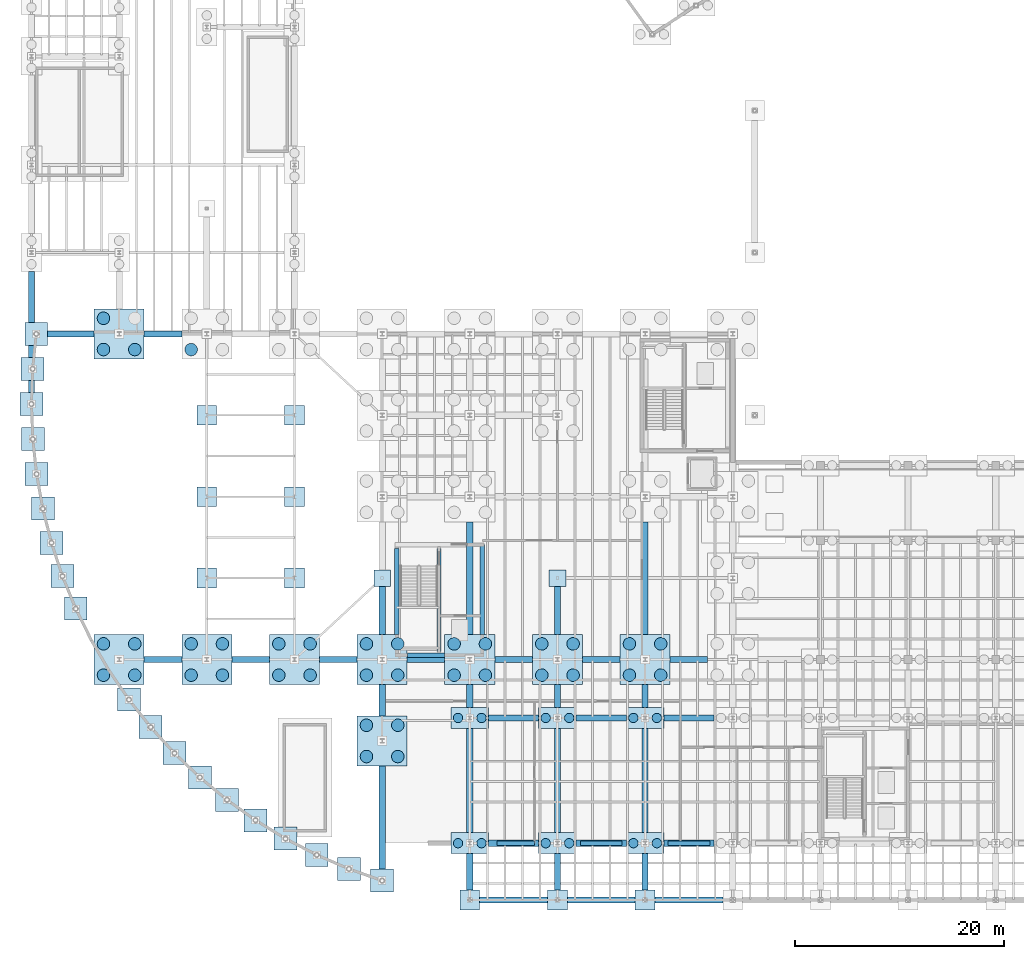
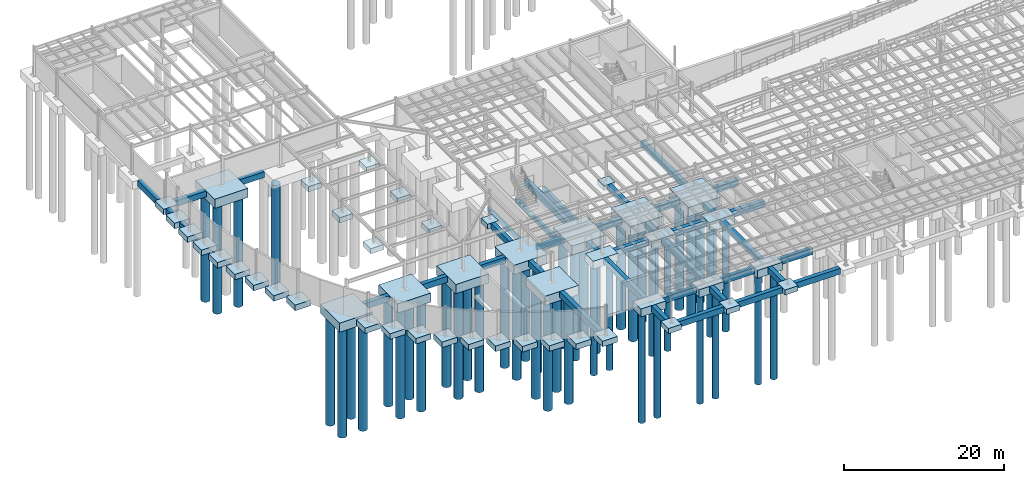
# One storey, part 1 of 41: 86 footings, 48 piles.
"""IFC4 building model written with IfcOpenShell, lengths in metres."""

from ifc_helpers import new_model, si_unit, direction, frame, origin, origin_2d, place, context, subcontext, project, spatial, rectangle, circle, extrude, material, material_profile, profile_set, type_object, element, save


model = new_model("IFC4")

# Units and contexts
model_context = context("Model", 3, precision=1e-05, world=origin(), true_north=direction((0.0, 1.0)))
body_context = subcontext(model_context, "Body", "Model", "MODEL_VIEW")
ifc_project = project(units=[si_unit("LENGTHUNIT", "METRE"), si_unit("AREAUNIT", "SQUARE_METRE"), si_unit("VOLUMEUNIT", "CUBIC_METRE"), si_unit("PLANEANGLEUNIT", "RADIAN"), si_unit("MASSUNIT", "GRAM", prefix="KILO")], contexts=[model_context])

# Site, building, storey
site_placement = place(None, origin())
site = spatial("IfcSite", under=ifc_project, at=site_placement, CompositionType="ELEMENT")
building_placement = place(site_placement, origin())
building = spatial("IfcBuilding", under=site, at=building_placement, Name="Selat Folded Stagehouse", CompositionType="ELEMENT")
storey_placement = place(building_placement, frame((0.0, 0.0, -4.5)))
storey = spatial("IfcBuildingStorey", under=building, at=storey_placement, Name="B1", CompositionType="ELEMENT", Elevation=-4.5)

# Footings
ifc_material = material(Name="Concrete C40/50", Category="concrete")
ifc_material_profile_1 = material_profile(ifc_material, rectangle(XDim=0.60009765625, YDim=0.89990234375, at=origin_2d()), Name="RC 900x600")
ifc_profile_set_1 = profile_set([ifc_material_profile_1], Name="Concrete C40/50")
footing_type_1 = type_object("IfcFootingType", Name="FTG-GB-600x900", PredefinedType="FOOTING_BEAM", material=ifc_profile_set_1)
for number, where, z_axis, x_axis, name in (
    (1, (42.949951171875, 0.35009765625, -0.449951171875), (1.0, 0.0, 0.0), (0.0, 1.0, 0.0), "Ground tie beam GB-X-004"),
    (2, (51.35009765625, 0.35009765625, -0.449951171875), (1.0, 0.0, 0.0), (0.0, 1.0, 0.0), "Ground tie beam GB-X-005"),
    (3, (59.75, 0.35009765625, -0.449951171875), (1.0, 0.0, 0.0), (0.0, 1.0, 0.0), "Ground tie beam GB-X-006"),
):
    element("IfcFooting", number, at=place(storey_placement, frame(where, z_axis=z_axis, x_axis=x_axis)), inside=storey, type_object=footing_type_1, Name=name, PredefinedType="FOOTING_BEAM", context=body_context, shape_type="SweptSolid", body=[
        extrude(rectangle(XDim=0.60009765625, YDim=0.89990234375, at=origin_2d()), origin(), (0.0, 0.0, 1.0), 6.5),
    ])
for number, where, z_axis, x_axis, name in (
    (4, (43.800048828125, 5.800048828125, -0.449951171875), (1.0, 0.0, 0.0), (0.0, 1.0, 0.0), "Ground tie beam GB-X-013"),
    (5, (52.199951171875, 5.800048828125, -0.449951171875), (1.0, 0.0, 0.0), (0.0, 1.0, 0.0), "Ground tie beam GB-X-014"),
):
    element("IfcFooting", number, at=place(storey_placement, frame(where, z_axis=z_axis, x_axis=x_axis)), inside=storey, type_object=footing_type_1, Name=name, PredefinedType="FOOTING_BEAM", context=body_context, shape_type="SweptSolid", body=[
        extrude(rectangle(XDim=0.60009765625, YDim=0.89990234375, at=origin_2d()), origin(), (0.0, 0.0, 1.0), 4.800048828125),
    ])
footing_1_placement = place(storey_placement, frame((60.60009765625, 5.800048828125, -0.449951171875), z_axis=(1.0, 0.0, 0.0), x_axis=(0.0, 1.0, 0.0)))
element("IfcFooting", 6, at=footing_1_placement, inside=storey, type_object=footing_type_1, Name="Ground tie beam GB-X-015", PredefinedType="FOOTING_BEAM", context=body_context, shape_type="SweptSolid", body=[
    extrude(rectangle(XDim=0.60009765625, YDim=0.89990234375, at=origin_2d()), origin(), (0.0, 0.0, 1.0), 4.7998046875),
])
for number, where, z_axis, x_axis, name in (
    (7, (43.800048828125, 17.800048828125, -0.449951171875), (1.0, 0.0, 0.0), (0.0, 1.0, 0.0), "Ground tie beam GB-X-023"),
    (8, (52.199951171875, 17.800048828125, -0.449951171875), (1.0, 0.0, 0.0), (0.0, 1.0, 0.0), "Ground tie beam GB-X-024"),
):
    element("IfcFooting", number, at=place(storey_placement, frame(where, z_axis=z_axis, x_axis=x_axis)), inside=storey, type_object=footing_type_1, Name=name, PredefinedType="FOOTING_BEAM", context=body_context, shape_type="SweptSolid", body=[
        extrude(rectangle(XDim=0.60009765625, YDim=0.89990234375, at=origin_2d()), origin(), (0.0, 0.0, 1.0), 4.800048828125),
    ])
footing_2_placement = place(storey_placement, frame((60.60009765625, 17.800048828125, -0.449951171875), z_axis=(1.0, 0.0, 0.0), x_axis=(0.0, 1.0, 0.0)))
element("IfcFooting", 9, at=footing_2_placement, inside=storey, type_object=footing_type_1, Name="Ground tie beam GB-X-025", PredefinedType="FOOTING_BEAM", context=body_context, shape_type="SweptSolid", body=[
    extrude(rectangle(XDim=0.60009765625, YDim=0.89990234375, at=origin_2d()), origin(), (0.0, 0.0, 1.0), 4.7998046875),
])
footing_3_placement = place(storey_placement, frame((10.800048828125, 23.39990234375, -0.449951171875), z_axis=(1.0, 0.0, 0.0), x_axis=(0.0, 1.0, 0.0)))
element("IfcFooting", 10, at=footing_3_placement, inside=storey, type_object=footing_type_1, Name="Ground tie beam GB-X-032", PredefinedType="FOOTING_BEAM", context=body_context, shape_type="SweptSolid", body=[
    extrude(rectangle(XDim=0.60009765625, YDim=0.89990234375, at=origin_2d()), origin(), (0.0, 0.0, 1.0), 3.599853515625),
])
footing_4_placement = place(storey_placement, frame((19.199951171875, 23.39990234375, -0.449951171875), z_axis=(1.0, 0.0, 0.0), x_axis=(0.0, 1.0, 0.0)))
element("IfcFooting", 11, at=footing_4_placement, inside=storey, type_object=footing_type_1, Name="Ground tie beam GB-X-033", PredefinedType="FOOTING_BEAM", context=body_context, shape_type="SweptSolid", body=[
    extrude(rectangle(XDim=0.60009765625, YDim=0.89990234375, at=origin_2d()), origin(), (0.0, 0.0, 1.0), 3.60009765625),
])
footing_5_placement = place(storey_placement, frame((27.60009765625, 23.39990234375, -0.449951171875), z_axis=(1.0, 0.0, 0.0), x_axis=(0.0, 1.0, 0.0)))
element("IfcFooting", 12, at=footing_5_placement, inside=storey, type_object=footing_type_1, Name="Ground tie beam GB-X-034", PredefinedType="FOOTING_BEAM", context=body_context, shape_type="SweptSolid", body=[
    extrude(rectangle(XDim=0.60009765625, YDim=0.89990234375, at=origin_2d()), origin(), (0.0, 0.0, 1.0), 3.599853515625),
])
for number, where, z_axis, x_axis, name in (
    (13, (36.0, 23.39990234375, -0.449951171875), (1.0, 0.0, 0.0), (0.0, 1.0, 0.0), "Ground tie beam GB-X-035"),
    (14, (44.39990234375, 23.39990234375, -0.449951171875), (1.0, 0.0, 0.0), (0.0, 1.0, 0.0), "Ground tie beam GB-X-036"),
):
    element("IfcFooting", number, at=place(storey_placement, frame(where, z_axis=z_axis, x_axis=x_axis)), inside=storey, type_object=footing_type_1, Name=name, PredefinedType="FOOTING_BEAM", context=body_context, shape_type="SweptSolid", body=[
        extrude(rectangle(XDim=0.60009765625, YDim=0.89990234375, at=origin_2d()), origin(), (0.0, 0.0, 1.0), 3.60009765625),
    ])
footing_6_placement = place(storey_placement, frame((52.800048828125, 23.39990234375, -0.449951171875), z_axis=(1.0, 0.0, 0.0), x_axis=(0.0, 1.0, 0.0)))
element("IfcFooting", 15, at=footing_6_placement, inside=storey, type_object=footing_type_1, Name="Ground tie beam GB-X-037", PredefinedType="FOOTING_BEAM", context=body_context, shape_type="SweptSolid", body=[
    extrude(rectangle(XDim=0.60009765625, YDim=0.89990234375, at=origin_2d()), origin(), (0.0, 0.0, 1.0), 3.599853515625),
])
footing_7_placement = place(storey_placement, frame((61.199951171875, 23.39990234375, -0.449951171875), z_axis=(1.0, 0.0, 0.0), x_axis=(0.0, 1.0, 0.0)))
element("IfcFooting", 16, at=footing_7_placement, inside=storey, type_object=footing_type_1, Name="Ground tie beam GB-X-038", PredefinedType="FOOTING_BEAM", context=body_context, shape_type="SweptSolid", body=[
    extrude(rectangle(XDim=0.60009765625, YDim=0.89990234375, at=origin_2d()), origin(), (0.0, 0.0, 1.0), 3.60009765625),
])
footing_8_placement = place(storey_placement, frame((1.555908203125, 54.60009765625, -0.449951171875), z_axis=(1.0, 0.0, 0.0), x_axis=(0.0, 1.0, 0.0)))
element("IfcFooting", 17, at=footing_8_placement, inside=storey, type_object=footing_type_1, Name="Ground tie beam GB-X-064", PredefinedType="FOOTING_BEAM", context=body_context, shape_type="SweptSolid", body=[
    extrude(rectangle(XDim=0.60009765625, YDim=0.89990234375, at=origin_2d()), origin(), (0.0, 0.0, 1.0), 4.444091796875),
])
footing_9_placement = place(storey_placement, frame((10.800048828125, 54.60009765625, -0.449951171875), z_axis=(1.0, 0.0, 0.0), x_axis=(0.0, 1.0, 0.0)))
element("IfcFooting", 18, at=footing_9_placement, inside=storey, type_object=footing_type_1, Name="Ground tie beam GB-X-065", PredefinedType="FOOTING_BEAM", context=body_context, shape_type="SweptSolid", body=[
    extrude(rectangle(XDim=0.60009765625, YDim=0.89990234375, at=origin_2d()), origin(), (0.0, 0.0, 1.0), 3.599853515625),
])
footing_10_placement = place(storey_placement, frame((0.0, 48.981689453125, -0.449951171875), z_axis=(0.0, 1.0, 0.0), x_axis=(-1.0, 0.0, 0.0)))
element("IfcFooting", 19, at=footing_10_placement, inside=storey, type_object=footing_type_1, Name="Ground tie beam GB-Y-078", PredefinedType="FOOTING_BEAM", context=body_context, shape_type="SweptSolid", body=[
    extrude(rectangle(XDim=0.60009765625, YDim=0.89990234375, at=origin_2d()), origin(), (0.0, 0.0, 1.0), 11.618408203125),
])
footing_11_placement = place(storey_placement, frame((33.60009765625, 3.310791015625, -0.449951171875), z_axis=(0.0, 1.0, 0.0), x_axis=(-1.0, 0.0, 0.0)))
element("IfcFooting", 20, at=footing_11_placement, inside=storey, type_object=footing_type_1, Name="Ground tie beam GB-Y-088", PredefinedType="FOOTING_BEAM", context=body_context, shape_type="SweptSolid", body=[
    extrude(rectangle(XDim=0.60009765625, YDim=0.89990234375, at=origin_2d()), origin(), (0.0, 0.0, 1.0), 9.88916015625),
])
footing_12_placement = place(storey_placement, frame((33.60009765625, 18.0, -0.449951171875), z_axis=(0.0, 1.0, 0.0), x_axis=(-1.0, 0.0, 0.0)))
element("IfcFooting", 21, at=footing_12_placement, inside=storey, type_object=footing_type_1, Name="Ground tie beam GB-Y-089", PredefinedType="FOOTING_BEAM", context=body_context, shape_type="SweptSolid", body=[
    extrude(rectangle(XDim=0.60009765625, YDim=0.89990234375, at=origin_2d()), origin(), (0.0, 0.0, 1.0), 3.0),
])
footing_13_placement = place(storey_placement, frame((33.60009765625, 25.800048828125, -0.449951171875), z_axis=(0.0, 1.0, 0.0), x_axis=(-1.0, 0.0, 0.0)))
element("IfcFooting", 22, at=footing_13_placement, inside=storey, type_object=footing_type_1, Name="Ground tie beam GB-Y-090", PredefinedType="FOOTING_BEAM", context=body_context, shape_type="SweptSolid", body=[
    extrude(rectangle(XDim=0.60009765625, YDim=0.89990234375, at=origin_2d()), origin(), (0.0, 0.0, 1.0), 4.599853515625),
])
footing_14_placement = place(storey_placement, frame((42.0, 1.300048828125, -0.449951171875), z_axis=(0.0, 1.0, 0.0), x_axis=(-1.0, 0.0, 0.0)))
element("IfcFooting", 23, at=footing_14_placement, inside=storey, type_object=footing_type_1, Name="Ground tie beam GB-Y-094", PredefinedType="FOOTING_BEAM", context=body_context, shape_type="SweptSolid", body=[
    extrude(rectangle(XDim=0.60009765625, YDim=0.89990234375, at=origin_2d()), origin(), (0.0, 0.0, 1.0), 3.5),
])
footing_15_placement = place(storey_placement, frame((42.0, 6.800048828125, -0.449951171875), z_axis=(0.0, 1.0, 0.0), x_axis=(-1.0, 0.0, 0.0)))
element("IfcFooting", 24, at=footing_15_placement, inside=storey, type_object=footing_type_1, Name="Ground tie beam GB-Y-095", PredefinedType="FOOTING_BEAM", context=body_context, shape_type="SweptSolid", body=[
    extrude(rectangle(XDim=0.60009765625, YDim=0.89990234375, at=origin_2d()), origin(), (0.0, 0.0, 1.0), 10.0),
])
footing_16_placement = place(storey_placement, frame((42.0, 18.800048828125, -0.449951171875), z_axis=(0.0, 1.0, 0.0), x_axis=(-1.0, 0.0, 0.0)))
element("IfcFooting", 25, at=footing_16_placement, inside=storey, type_object=footing_type_1, Name="Ground tie beam GB-Y-096", PredefinedType="FOOTING_BEAM", context=body_context, shape_type="SweptSolid", body=[
    extrude(rectangle(XDim=0.60009765625, YDim=0.89990234375, at=origin_2d()), origin(), (0.0, 0.0, 1.0), 2.199951171875),
])
footing_17_placement = place(storey_placement, frame((42.0, 25.800048828125, -0.449951171875), z_axis=(0.0, 1.0, 0.0), x_axis=(-1.0, 0.0, 0.0)))
element("IfcFooting", 26, at=footing_17_placement, inside=storey, type_object=footing_type_1, Name="Ground tie beam GB-Y-097", PredefinedType="FOOTING_BEAM", context=body_context, shape_type="SweptSolid", body=[
    extrude(rectangle(XDim=0.60009765625, YDim=0.89990234375, at=origin_2d()), origin(), (0.0, 0.0, 1.0), 10.800048828125),
])
footing_18_placement = place(storey_placement, frame((50.39990234375, 1.300048828125, -0.449951171875), z_axis=(0.0, 1.0, 0.0), x_axis=(-1.0, 0.0, 0.0)))
element("IfcFooting", 27, at=footing_18_placement, inside=storey, type_object=footing_type_1, Name="Ground tie beam GB-Y-100", PredefinedType="FOOTING_BEAM", context=body_context, shape_type="SweptSolid", body=[
    extrude(rectangle(XDim=0.60009765625, YDim=0.89990234375, at=origin_2d()), origin(), (0.0, 0.0, 1.0), 3.5),
])
footing_19_placement = place(storey_placement, frame((50.39990234375, 6.800048828125, -0.449951171875), z_axis=(0.0, 1.0, 0.0), x_axis=(-1.0, 0.0, 0.0)))
element("IfcFooting", 28, at=footing_19_placement, inside=storey, type_object=footing_type_1, Name="Ground tie beam GB-Y-101", PredefinedType="FOOTING_BEAM", context=body_context, shape_type="SweptSolid", body=[
    extrude(rectangle(XDim=0.60009765625, YDim=0.89990234375, at=origin_2d()), origin(), (0.0, 0.0, 1.0), 10.0),
])
footing_20_placement = place(storey_placement, frame((50.39990234375, 18.800048828125, -0.449951171875), z_axis=(0.0, 1.0, 0.0), x_axis=(-1.0, 0.0, 0.0)))
element("IfcFooting", 29, at=footing_20_placement, inside=storey, type_object=footing_type_1, Name="Ground tie beam GB-Y-102", PredefinedType="FOOTING_BEAM", context=body_context, shape_type="SweptSolid", body=[
    extrude(rectangle(XDim=0.60009765625, YDim=0.89990234375, at=origin_2d()), origin(), (0.0, 0.0, 1.0), 2.199951171875),
])
footing_21_placement = place(storey_placement, frame((50.39990234375, 25.800048828125, -0.449951171875), z_axis=(0.0, 1.0, 0.0), x_axis=(-1.0, 0.0, 0.0)))
element("IfcFooting", 30, at=footing_21_placement, inside=storey, type_object=footing_type_1, Name="Ground tie beam GB-Y-103", PredefinedType="FOOTING_BEAM", context=body_context, shape_type="SweptSolid", body=[
    extrude(rectangle(XDim=0.60009765625, YDim=0.89990234375, at=origin_2d()), origin(), (0.0, 0.0, 1.0), 4.599853515625),
])
footing_22_placement = place(storey_placement, frame((58.800048828125, 1.300048828125, -0.449951171875), z_axis=(0.0, 1.0, 0.0), x_axis=(-1.0, 0.0, 0.0)))
element("IfcFooting", 31, at=footing_22_placement, inside=storey, type_object=footing_type_1, Name="Ground tie beam GB-Y-105", PredefinedType="FOOTING_BEAM", context=body_context, shape_type="SweptSolid", body=[
    extrude(rectangle(XDim=0.60009765625, YDim=0.89990234375, at=origin_2d()), origin(), (0.0, 0.0, 1.0), 3.5),
])
footing_23_placement = place(storey_placement, frame((58.800048828125, 6.800048828125, -0.449951171875), z_axis=(0.0, 1.0, 0.0), x_axis=(-1.0, 0.0, 0.0)))
element("IfcFooting", 32, at=footing_23_placement, inside=storey, type_object=footing_type_1, Name="Ground tie beam GB-Y-106", PredefinedType="FOOTING_BEAM", context=body_context, shape_type="SweptSolid", body=[
    extrude(rectangle(XDim=0.60009765625, YDim=0.89990234375, at=origin_2d()), origin(), (0.0, 0.0, 1.0), 10.0),
])
footing_24_placement = place(storey_placement, frame((58.800048828125, 18.800048828125, -0.449951171875), z_axis=(0.0, 1.0, 0.0), x_axis=(-1.0, 0.0, 0.0)))
element("IfcFooting", 33, at=footing_24_placement, inside=storey, type_object=footing_type_1, Name="Ground tie beam GB-Y-107", PredefinedType="FOOTING_BEAM", context=body_context, shape_type="SweptSolid", body=[
    extrude(rectangle(XDim=0.60009765625, YDim=0.89990234375, at=origin_2d()), origin(), (0.0, 0.0, 1.0), 2.199951171875),
])
footing_25_placement = place(storey_placement, frame((58.800048828125, 25.800048828125, -0.449951171875), z_axis=(0.0, 1.0, 0.0), x_axis=(-1.0, 0.0, 0.0)))
element("IfcFooting", 34, at=footing_25_placement, inside=storey, type_object=footing_type_1, Name="Ground tie beam GB-Y-108", PredefinedType="FOOTING_BEAM", context=body_context, shape_type="SweptSolid", body=[
    extrude(rectangle(XDim=0.60009765625, YDim=0.89990234375, at=origin_2d()), origin(), (0.0, 0.0, 1.0), 10.800048828125),
])
footing_type_2 = type_object("IfcFootingType", Name="FTG-PAD-1600x1600x750", PredefinedType="PAD_FOOTING", material=ifc_material)
for number, where, z_axis, x_axis, name in (
    (35, (33.60009765625, 31.199951171875, -0.75), (0.0, 0.0, 1.0), (1.0, 0.0, 0.0), "Pilaster pad 1"),
    (36, (50.39990234375, 31.199951171875, -0.75), (0.0, 0.0, 1.0), (1.0, 0.0, 0.0), "Pilaster pad 2"),
):
    element("IfcFooting", number, at=place(storey_placement, frame(where, z_axis=z_axis, x_axis=x_axis)), inside=storey, type_object=footing_type_2, Name=name, PredefinedType="PAD_FOOTING", context=body_context, shape_type="SweptSolid", body=[
        extrude(rectangle(XDim=1.60009765625, YDim=1.60009765625, at=origin_2d()), origin(), (0.0, 0.0, 1.0), 0.75),
    ])
footing_type_3 = type_object("IfcFootingType", Name="FTG-PAD-1900x1900x800", PredefinedType="PAD_FOOTING", material=ifc_material)
for number, where, z_axis, x_axis, name in (
    (37, (42.0, 0.35009765625, -0.7998046875), (0.0, 0.0, 1.0), (1.0, 0.0, 0.0), "Foundation STK-COLPOST-42"),
    (38, (50.39990234375, 0.35009765625, -0.7998046875), (0.0, 0.0, 1.0), (1.0, 0.0, 0.0), "Foundation STK-COLPOST-50"),
    (39, (58.800048828125, 0.35009765625, -0.7998046875), (0.0, 0.0, 1.0), (1.0, 0.0, 0.0), "Foundation STK-COLPOST-58"),
    (40, (16.800048828125, 31.199951171875, 1.5), (0.0, 0.0, 1.0), (1.0, 0.0, 0.0), "B1 V1 sub-tier pad footing 168-312"),
    (41, (16.800048828125, 39.0, 1.5), (0.0, 0.0, 1.0), (1.0, 0.0, 0.0), "B1 V1 sub-tier pad footing 168-390"),
    (42, (16.800048828125, 46.800048828125, 1.5), (0.0, 0.0, 1.0), (1.0, 0.0, 0.0), "B1 V1 sub-tier pad footing 168-468"),
    (43, (25.199951171875, 31.199951171875, 1.5), (0.0, 0.0, 1.0), (1.0, 0.0, 0.0), "B1 V1 sub-tier pad footing 252-312"),
    (44, (25.199951171875, 39.0, 1.5), (0.0, 0.0, 1.0), (1.0, 0.0, 0.0), "B1 V1 sub-tier pad footing 252-390"),
    (45, (25.199951171875, 46.800048828125, 1.5), (0.0, 0.0, 1.0), (1.0, 0.0, 0.0), "B1 V1 sub-tier pad footing 252-468"),
):
    element("IfcFooting", number, at=place(storey_placement, frame(where, z_axis=z_axis, x_axis=x_axis)), inside=storey, type_object=footing_type_3, Name=name, PredefinedType="PAD_FOOTING", context=body_context, shape_type="SweptSolid", body=[
        extrude(rectangle(XDim=1.89990234375, YDim=1.89990234375, at=origin_2d()), origin(), (0.0, 0.0, 1.0), 0.800048828125),
    ])
footing_type_4 = type_object("IfcFootingType", Name="FTG-PAD-2200x2200x850", PredefinedType="PAD_FOOTING", material=ifc_material)
for number, where, z_axis, x_axis, name in (
    (46, (0.455810546875, 54.60009765625, -0.85009765625), (0.0, 0.0, 1.0), (1.0, 0.0, 0.0), "Foundation STK-DRM-00"),
    (47, (0.110107421875, 51.248779296875, -0.85009765625), (0.0, 0.0, 1.0), (1.0, 0.0, 0.0), "Foundation STK-DRM-01"),
    (48, (0.0, 47.881591796875, -0.85009765625), (0.0, 0.0, 1.0), (1.0, 0.0, 0.0), "Foundation STK-DRM-02"),
    (49, (0.126708984375, 44.514892578125, -0.85009765625), (0.0, 0.0, 1.0), (1.0, 0.0, 0.0), "Foundation STK-DRM-03"),
    (50, (0.489013671875, 41.16552734375, -0.85009765625), (0.0, 0.0, 1.0), (1.0, 0.0, 0.0), "Foundation STK-DRM-04"),
    (51, (1.08544921875, 37.849609375, -0.85009765625), (0.0, 0.0, 1.0), (1.0, 0.0, 0.0), "Foundation STK-DRM-05"),
    (52, (1.9130859375, 34.583984375, -0.85009765625), (0.0, 0.0, 1.0), (1.0, 0.0, 0.0), "Foundation STK-DRM-06"),
    (53, (2.967529296875, 31.38427734375, -0.85009765625), (0.0, 0.0, 1.0), (1.0, 0.0, 0.0), "Foundation STK-DRM-07"),
    (54, (4.243896484375, 28.266357421875, -0.85009765625), (0.0, 0.0, 1.0), (1.0, 0.0, 0.0), "Foundation STK-DRM-08"),
    (55, (9.336181640625, 19.55517578125, -0.85009765625), (0.0, 0.0, 1.0), (1.0, 0.0, 0.0), "Foundation STK-DRM-11"),
    (56, (11.4267578125, 16.9130859375, -0.85009765625), (0.0, 0.0, 1.0), (1.0, 0.0, 0.0), "Foundation STK-DRM-12"),
    (57, (13.697509765625, 14.42431640625, -0.85009765625), (0.0, 0.0, 1.0), (1.0, 0.0, 0.0), "Foundation STK-DRM-13"),
    (58, (16.136962890625, 12.100830078125, -0.85009765625), (0.0, 0.0, 1.0), (1.0, 0.0, 0.0), "Foundation STK-DRM-14"),
    (59, (18.733642578125, 9.954345703125, -0.85009765625), (0.0, 0.0, 1.0), (1.0, 0.0, 0.0), "Foundation STK-DRM-15"),
    (60, (21.474365234375, 7.9951171875, -0.85009765625), (0.0, 0.0, 1.0), (1.0, 0.0, 0.0), "Foundation STK-DRM-16"),
    (61, (24.345703125, 6.23291015625, -0.85009765625), (0.0, 0.0, 1.0), (1.0, 0.0, 0.0), "Foundation STK-DRM-17"),
    (62, (27.333740234375, 4.6767578125, -0.85009765625), (0.0, 0.0, 1.0), (1.0, 0.0, 0.0), "Foundation STK-DRM-18"),
    (63, (30.423583984375, 3.333740234375, -0.85009765625), (0.0, 0.0, 1.0), (1.0, 0.0, 0.0), "Foundation STK-DRM-19"),
    (64, (33.60009765625, 2.2109375, -0.85009765625), (0.0, 0.0, 1.0), (1.0, 0.0, 0.0), "Foundation STK-DRM-20"),
):
    element("IfcFooting", number, at=place(storey_placement, frame(where, z_axis=z_axis, x_axis=x_axis)), inside=storey, type_object=footing_type_4, Name=name, PredefinedType="PAD_FOOTING", context=body_context, shape_type="SweptSolid", body=[
        extrude(rectangle(XDim=2.199951171875, YDim=2.199951171875, at=origin_2d()), origin(), (0.0, 0.0, 1.0), 0.85009765625),
    ])
footing_type_5 = type_object("IfcFootingType", Name="FTG-PC-3600x2000x1200", PredefinedType="PILE_CAP", material=ifc_material)
for number, where, z_axis, x_axis, name in (
    (65, (42.0, 5.800048828125, -1.2001953125), (0.0, 0.0, 1.0), (1.0, 0.0, 0.0), "Foundation STK-V5-42-58"),
    (66, (42.0, 17.800048828125, -1.2001953125), (0.0, 0.0, 1.0), (1.0, 0.0, 0.0), "Foundation STK-V5-42-178"),
    (67, (50.39990234375, 5.800048828125, -1.2001953125), (0.0, 0.0, 1.0), (1.0, 0.0, 0.0), "Foundation STK-V5-50-58"),
    (68, (50.39990234375, 17.800048828125, -1.2001953125), (0.0, 0.0, 1.0), (1.0, 0.0, 0.0), "Foundation STK-V5-50-178"),
    (69, (58.800048828125, 5.800048828125, -1.2001953125), (0.0, 0.0, 1.0), (1.0, 0.0, 0.0), "Foundation STK-V5-58-58"),
    (70, (58.800048828125, 17.800048828125, -1.2001953125), (0.0, 0.0, 1.0), (1.0, 0.0, 0.0), "Foundation STK-V5-58-178"),
):
    element("IfcFooting", number, at=place(storey_placement, frame(where, z_axis=z_axis, x_axis=x_axis)), inside=storey, type_object=footing_type_5, Name=name, PredefinedType="PILE_CAP", context=body_context, shape_type="SweptSolid", body=[
        extrude(rectangle(XDim=3.60009765625, YDim=2.0, at=origin_2d()), origin(), (0.0, 0.0, 1.0), 1.199951171875),
    ])
footing_type_6 = type_object("IfcFootingType", Name="FTG-PC-4800x4800x1400", PredefinedType="PILE_CAP", material=ifc_material)
for number, where, z_axis, x_axis, name in (
    (71, (8.39990234375, 23.39990234375, -1.39990234375), (0.0, 0.0, 1.0), (1.0, 0.0, 0.0), "Foundation STK-V2-00"),
    (72, (16.800048828125, 23.39990234375, -1.39990234375), (0.0, 0.0, 1.0), (1.0, 0.0, 0.0), "Foundation STK-V2-01"),
    (73, (25.199951171875, 23.39990234375, -1.39990234375), (0.0, 0.0, 1.0), (1.0, 0.0, 0.0), "Foundation STK-V2-02"),
    (74, (8.39990234375, 54.60009765625, -1.39990234375), (0.0, 0.0, 1.0), (1.0, 0.0, 0.0), "Foundation STK-V2-03"),
    (75, (33.60009765625, 15.60009765625, -1.39990234375), (0.0, 0.0, 1.0), (1.0, 0.0, 0.0), "Foundation STK-V2-06"),
    (76, (33.60009765625, 23.39990234375, -1.39990234375), (0.0, 0.0, 1.0), (1.0, 0.0, 0.0), "Foundation STK-V2-07"),
    (77, (42.0, 23.39990234375, -1.39990234375), (0.0, 0.0, 1.0), (1.0, 0.0, 0.0), "Foundation STK-V2-11"),
    (78, (50.39990234375, 23.39990234375, -1.39990234375), (0.0, 0.0, 1.0), (1.0, 0.0, 0.0), "Foundation STK-V2-15"),
    (79, (58.800048828125, 23.39990234375, -1.39990234375), (0.0, 0.0, 1.0), (1.0, 0.0, 0.0), "Foundation STK-V2-18"),
):
    element("IfcFooting", number, at=place(storey_placement, frame(where, z_axis=z_axis, x_axis=x_axis)), inside=storey, type_object=footing_type_6, Name=name, PredefinedType="PILE_CAP", context=body_context, shape_type="SweptSolid", body=[
        extrude(rectangle(XDim=4.800048828125, YDim=4.800048828125, at=origin_2d()), origin(), (0.0, 0.0, 1.0), 1.39990234375),
    ])
ifc_material_profile_2 = material_profile(ifc_material, rectangle(XDim=0.39990234375, YDim=0.699951171875, at=origin_2d()), Name="RC 700x400")
ifc_profile_set_2 = profile_set([ifc_material_profile_2], Name="Concrete C40/50")
footing_type_7 = type_object("IfcFootingType", Name="FTG-SF-700x400", PredefinedType="STRIP_FOOTING", material=ifc_profile_set_2)
footing_26_placement = place(storey_placement, frame((44.60009765625, 5.800048828125, -0.35009765625), z_axis=(1.0, 0.0, 0.0), x_axis=(0.0, 1.0, 0.0)))
element("IfcFooting", 80, at=footing_26_placement, inside=storey, type_object=footing_type_7, Name="Perimeter strip footing SF-01", PredefinedType="STRIP_FOOTING", context=body_context, shape_type="SweptSolid", body=[
    extrude(rectangle(XDim=0.39990234375, YDim=0.699951171875, at=origin_2d()), origin(), (0.0, 0.0, 1.0), 3.599853515625),
])
for number, where, z_axis, x_axis, name in (
    (81, (52.60009765625, 5.800048828125, -0.35009765625), (1.0, 0.0, 0.0), (0.0, 1.0, 0.0), "Perimeter strip footing SF-02"),
    (82, (61.0, 5.800048828125, -0.35009765625), (1.0, 0.0, 0.0), (0.0, 1.0, 0.0), "Perimeter strip footing SF-03"),
):
    element("IfcFooting", number, at=place(storey_placement, frame(where, z_axis=z_axis, x_axis=x_axis)), inside=storey, type_object=footing_type_7, Name=name, PredefinedType="STRIP_FOOTING", context=body_context, shape_type="SweptSolid", body=[
        extrude(rectangle(XDim=0.39990234375, YDim=0.699951171875, at=origin_2d()), origin(), (0.0, 0.0, 1.0), 4.0),
    ])
footing_27_placement = place(storey_placement, frame((36.02001953125, 23.800048828125, -0.60009765625), z_axis=(1.0, 0.0, 0.0), x_axis=(0.0, 1.0, 0.0)))
element("IfcFooting", 83, at=footing_27_placement, inside=storey, type_object=footing_type_7, Name="Core wall strip footing CR-CR-1-S 1", PredefinedType="STRIP_FOOTING", context=body_context, shape_type="SweptSolid", body=[
    extrude(rectangle(XDim=0.39990234375, YDim=0.699951171875, at=origin_2d()), origin(), (0.0, 0.0, 1.0), 3.56005859375),
])
footing_28_placement = place(storey_placement, frame((35.0, 25.820068359375, -0.60009765625), z_axis=(0.0, 1.0, 0.0), x_axis=(-1.0, 0.0, 0.0)))
element("IfcFooting", 84, at=footing_28_placement, inside=storey, type_object=footing_type_7, Name="Core wall strip footing CR-CR-1-W 3", PredefinedType="STRIP_FOOTING", context=body_context, shape_type="SweptSolid", body=[
    extrude(rectangle(XDim=0.39990234375, YDim=0.699951171875, at=origin_2d()), origin(), (0.0, 0.0, 1.0), 8.199951171875),
])
footing_29_placement = place(storey_placement, frame((43.199951171875, 25.820068359375, -0.60009765625), z_axis=(0.0, 1.0, 0.0), x_axis=(-1.0, 0.0, 0.0)))
element("IfcFooting", 85, at=footing_29_placement, inside=storey, type_object=footing_type_7, Name="Core wall strip footing CR-CR-1-E 4", PredefinedType="STRIP_FOOTING", context=body_context, shape_type="SweptSolid", body=[
    extrude(rectangle(XDim=0.39990234375, YDim=0.699951171875, at=origin_2d()), origin(), (0.0, 0.0, 1.0), 8.579833984375),
])
footing_30_placement = place(storey_placement, frame((39.050048828125, 24.179931640625, -0.60009765625), z_axis=(0.0, 1.0, 0.0), x_axis=(-1.0, 0.0, 0.0)))
element("IfcFooting", 86, at=footing_30_placement, inside=storey, type_object=footing_type_7, Name="Core wall strip footing CR-CR-1-D 5", PredefinedType="STRIP_FOOTING", context=body_context, shape_type="SweptSolid", body=[
    extrude(rectangle(XDim=0.39990234375, YDim=0.699951171875, at=origin_2d()), origin(), (0.0, 0.0, 1.0), 9.840087890625),
])

# Piles
ifc_material_profile_3 = material_profile(ifc_material, circle(Radius=0.60009765625, at=origin_2d()), Name="PILE D1200")
ifc_profile_set_3 = profile_set([ifc_material_profile_3], Name="Concrete C40/50")
pile_type_1 = type_object("IfcPileType", Name="PILE-BORED-1200-B1", PredefinedType="BORED", material=ifc_profile_set_3)
for number, where, z_axis, x_axis, name in (
    (87, (6.89990234375, 21.89990234375, -1.300048828125), (0.0, 0.0, -1.0), (1.0, 0.0, 0.0), "Bored pile PIL-STK-V2-00-1"),
    (88, (9.89990234375, 21.89990234375, -1.300048828125), (0.0, 0.0, -1.0), (1.0, 0.0, 0.0), "Bored pile PIL-STK-V2-00-2"),
    (89, (9.89990234375, 24.89990234375, -1.300048828125), (0.0, 0.0, -1.0), (1.0, 0.0, 0.0), "Bored pile PIL-STK-V2-00-3"),
    (90, (6.89990234375, 24.89990234375, -1.300048828125), (0.0, 0.0, -1.0), (1.0, 0.0, 0.0), "Bored pile PIL-STK-V2-00-4"),
    (91, (15.300048828125, 21.89990234375, -1.300048828125), (0.0, 0.0, -1.0), (1.0, 0.0, 0.0), "Bored pile PIL-STK-V2-01-1"),
    (92, (18.300048828125, 21.89990234375, -1.300048828125), (0.0, 0.0, -1.0), (1.0, 0.0, 0.0), "Bored pile PIL-STK-V2-01-2"),
    (93, (18.300048828125, 24.89990234375, -1.300048828125), (0.0, 0.0, -1.0), (1.0, 0.0, 0.0), "Bored pile PIL-STK-V2-01-3"),
    (94, (15.300048828125, 24.89990234375, -1.300048828125), (0.0, 0.0, -1.0), (1.0, 0.0, 0.0), "Bored pile PIL-STK-V2-01-4"),
    (95, (23.699951171875, 21.89990234375, -1.300048828125), (0.0, 0.0, -1.0), (1.0, 0.0, 0.0), "Bored pile PIL-STK-V2-02-1"),
    (96, (26.699951171875, 21.89990234375, -1.300048828125), (0.0, 0.0, -1.0), (1.0, 0.0, 0.0), "Bored pile PIL-STK-V2-02-2"),
    (97, (26.699951171875, 24.89990234375, -1.300048828125), (0.0, 0.0, -1.0), (1.0, 0.0, 0.0), "Bored pile PIL-STK-V2-02-3"),
    (98, (23.699951171875, 24.89990234375, -1.300048828125), (0.0, 0.0, -1.0), (1.0, 0.0, 0.0), "Bored pile PIL-STK-V2-02-4"),
    (99, (6.89990234375, 53.10009765625, -1.300048828125), (0.0, 0.0, -1.0), (1.0, 0.0, 0.0), "Bored pile PIL-STK-V2-03-1"),
    (100, (9.89990234375, 53.10009765625, -1.300048828125), (0.0, 0.0, -1.0), (1.0, 0.0, 0.0), "Bored pile PIL-STK-V2-03-2"),
    (101, (6.89990234375, 56.10009765625, -1.300048828125), (0.0, 0.0, -1.0), (1.0, 0.0, 0.0), "Bored pile PIL-STK-V2-03-4"),
    (102, (15.300048828125, 53.10009765625, -1.300048828125), (0.0, 0.0, -1.0), (1.0, 0.0, 0.0), "Bored pile PIL-STK-V2-04-1"),
    (103, (32.10009765625, 14.10009765625, -1.300048828125), (0.0, 0.0, -1.0), (1.0, 0.0, 0.0), "Bored pile PIL-STK-V2-06-1"),
    (104, (35.10009765625, 14.10009765625, -1.300048828125), (0.0, 0.0, -1.0), (1.0, 0.0, 0.0), "Bored pile PIL-STK-V2-06-2"),
    (105, (35.10009765625, 17.10009765625, -1.300048828125), (0.0, 0.0, -1.0), (1.0, 0.0, 0.0), "Bored pile PIL-STK-V2-06-3"),
    (106, (32.10009765625, 17.10009765625, -1.300048828125), (0.0, 0.0, -1.0), (1.0, 0.0, 0.0), "Bored pile PIL-STK-V2-06-4"),
    (107, (32.10009765625, 21.89990234375, -1.300048828125), (0.0, 0.0, -1.0), (1.0, 0.0, 0.0), "Bored pile PIL-STK-V2-07-1"),
    (108, (35.10009765625, 21.89990234375, -1.300048828125), (0.0, 0.0, -1.0), (1.0, 0.0, 0.0), "Bored pile PIL-STK-V2-07-2"),
    (109, (35.10009765625, 24.89990234375, -1.300048828125), (0.0, 0.0, -1.0), (1.0, 0.0, 0.0), "Bored pile PIL-STK-V2-07-3"),
    (110, (32.10009765625, 24.89990234375, -1.300048828125), (0.0, 0.0, -1.0), (1.0, 0.0, 0.0), "Bored pile PIL-STK-V2-07-4"),
    (111, (40.5, 21.89990234375, -1.300048828125), (0.0, 0.0, -1.0), (1.0, 0.0, 0.0), "Bored pile PIL-STK-V2-11-1"),
    (112, (43.5, 21.89990234375, -1.300048828125), (0.0, 0.0, -1.0), (1.0, 0.0, 0.0), "Bored pile PIL-STK-V2-11-2"),
    (113, (43.5, 24.89990234375, -1.300048828125), (0.0, 0.0, -1.0), (1.0, 0.0, 0.0), "Bored pile PIL-STK-V2-11-3"),
    (114, (40.5, 24.89990234375, -1.300048828125), (0.0, 0.0, -1.0), (1.0, 0.0, 0.0), "Bored pile PIL-STK-V2-11-4"),
    (115, (48.89990234375, 21.89990234375, -1.300048828125), (0.0, 0.0, -1.0), (1.0, 0.0, 0.0), "Bored pile PIL-STK-V2-15-1"),
    (116, (51.89990234375, 21.89990234375, -1.300048828125), (0.0, 0.0, -1.0), (1.0, 0.0, 0.0), "Bored pile PIL-STK-V2-15-2"),
    (117, (51.89990234375, 24.89990234375, -1.300048828125), (0.0, 0.0, -1.0), (1.0, 0.0, 0.0), "Bored pile PIL-STK-V2-15-3"),
    (118, (48.89990234375, 24.89990234375, -1.300048828125), (0.0, 0.0, -1.0), (1.0, 0.0, 0.0), "Bored pile PIL-STK-V2-15-4"),
    (119, (57.300048828125, 21.89990234375, -1.300048828125), (0.0, 0.0, -1.0), (1.0, 0.0, 0.0), "Bored pile PIL-STK-V2-18-1"),
    (120, (60.300048828125, 21.89990234375, -1.300048828125), (0.0, 0.0, -1.0), (1.0, 0.0, 0.0), "Bored pile PIL-STK-V2-18-2"),
    (121, (60.300048828125, 24.89990234375, -1.300048828125), (0.0, 0.0, -1.0), (1.0, 0.0, 0.0), "Bored pile PIL-STK-V2-18-3"),
    (122, (57.300048828125, 24.89990234375, -1.300048828125), (0.0, 0.0, -1.0), (1.0, 0.0, 0.0), "Bored pile PIL-STK-V2-18-4"),
):
    element("IfcPile", number, at=place(storey_placement, frame(where, z_axis=z_axis, x_axis=x_axis)), inside=storey, type_object=pile_type_1, Name=name, PredefinedType="BORED", context=body_context, shape_type="SweptSolid", body=[
        extrude(circle(Radius=0.60009765625, at=origin_2d()), origin(), (0.0, 0.0, 1.0), 16.699951171875),
    ])
ifc_material_profile_4 = material_profile(ifc_material, circle(Radius=0.449951171875, at=origin_2d()), Name="PILE D900")
ifc_profile_set_4 = profile_set([ifc_material_profile_4], Name="Concrete C40/50")
pile_type_2 = type_object("IfcPileType", Name="PILE-BORED-900-B1", PredefinedType="BORED", material=ifc_profile_set_4)
for number, where, z_axis, x_axis, name in (
    (123, (40.875, 5.800048828125, -1.10009765625), (0.0, 0.0, -1.0), (1.0, 0.0, 0.0), "Bored pile PIL-STK-V5-42-58-1"),
    (124, (43.125, 5.800048828125, -1.10009765625), (0.0, 0.0, -1.0), (1.0, 0.0, 0.0), "Bored pile PIL-STK-V5-42-58-2"),
    (125, (40.875, 17.800048828125, -1.10009765625), (0.0, 0.0, -1.0), (1.0, 0.0, 0.0), "Bored pile PIL-STK-V5-42-178-1"),
    (126, (43.125, 17.800048828125, -1.10009765625), (0.0, 0.0, -1.0), (1.0, 0.0, 0.0), "Bored pile PIL-STK-V5-42-178-2"),
    (127, (49.27490234375, 5.800048828125, -1.10009765625), (0.0, 0.0, -1.0), (1.0, 0.0, 0.0), "Bored pile PIL-STK-V5-50-58-1"),
    (128, (51.52490234375, 5.800048828125, -1.10009765625), (0.0, 0.0, -1.0), (1.0, 0.0, 0.0), "Bored pile PIL-STK-V5-50-58-2"),
    (129, (49.27490234375, 17.800048828125, -1.10009765625), (0.0, 0.0, -1.0), (1.0, 0.0, 0.0), "Bored pile PIL-STK-V5-50-178-1"),
    (130, (51.52490234375, 17.800048828125, -1.10009765625), (0.0, 0.0, -1.0), (1.0, 0.0, 0.0), "Bored pile PIL-STK-V5-50-178-2"),
    (131, (57.675048828125, 5.800048828125, -1.10009765625), (0.0, 0.0, -1.0), (1.0, 0.0, 0.0), "Bored pile PIL-STK-V5-58-58-1"),
    (132, (59.925048828125, 5.800048828125, -1.10009765625), (0.0, 0.0, -1.0), (1.0, 0.0, 0.0), "Bored pile PIL-STK-V5-58-58-2"),
    (133, (57.675048828125, 17.800048828125, -1.10009765625), (0.0, 0.0, -1.0), (1.0, 0.0, 0.0), "Bored pile PIL-STK-V5-58-178-1"),
    (134, (59.925048828125, 17.800048828125, -1.10009765625), (0.0, 0.0, -1.0), (1.0, 0.0, 0.0), "Bored pile PIL-STK-V5-58-178-2"),
):
    element("IfcPile", number, at=place(storey_placement, frame(where, z_axis=z_axis, x_axis=x_axis)), inside=storey, type_object=pile_type_2, Name=name, PredefinedType="BORED", context=body_context, shape_type="SweptSolid", body=[
        extrude(circle(Radius=0.449951171875, at=origin_2d()), origin(), (0.0, 0.0, 1.0), 16.89990234375),
    ])

save(model, "model.ifc")
